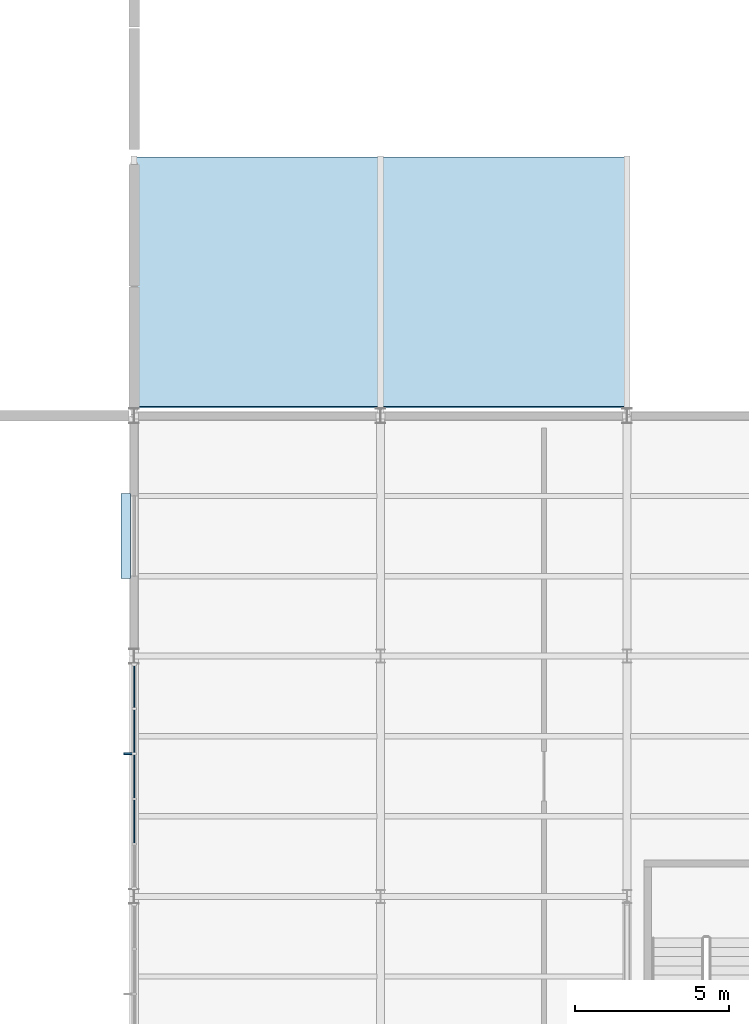
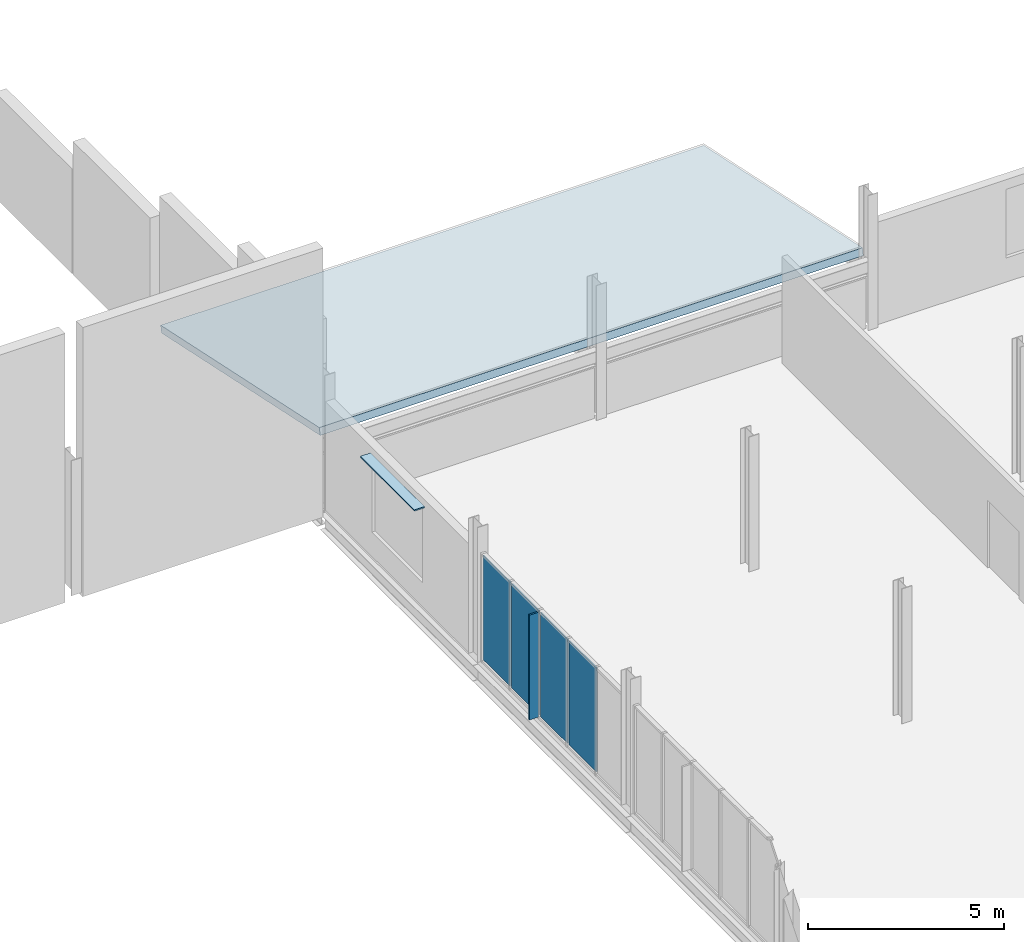
# One storey, part 22 of 45: 6 plates, 1 slab, 1 element without a shape of its own.
"""IFC4 building model written with IfcOpenShell, lengths in metres."""

from ifc_helpers import new_model, si_unit, direction, frame, origin, origin_2d, place, context, subcontext, project, spatial, polyline, rectangle, outline, extrude, material, layer, layer_set, type_object, element, aggregate, save


model = new_model("IFC4")

# Units and contexts
model_context = context("Model", 3, precision=1e-05, world=origin(), true_north=direction((0.0, 1.0)))
body_context = subcontext(model_context, "Body", "Model", "MODEL_VIEW")
ifc_project = project(units=[si_unit("LENGTHUNIT", "METRE"), si_unit("AREAUNIT", "SQUARE_METRE"), si_unit("VOLUMEUNIT", "CUBIC_METRE"), si_unit("PLANEANGLEUNIT", "RADIAN"), si_unit("MASSUNIT", "GRAM", prefix="KILO")], contexts=[model_context])

# Site, building, storey
site_placement = place(None, origin())
site = spatial("IfcSite", under=ifc_project, at=site_placement, CompositionType="ELEMENT")
building_placement = place(site_placement, origin())
building = spatial("IfcBuilding", under=site, at=building_placement, Name="Yukiwa Park Conservatory and Herbarium", CompositionType="ELEMENT")
storey_placement = place(building_placement, frame((0.0, 0.0, 9.0)))
storey = spatial("IfcBuildingStorey", under=building, at=storey_placement, Name="L02", CompositionType="ELEMENT", Elevation=9.0)

# Curtain wall, plates
ifc_material_1 = material(Name="Triple Low-E Insulated Glass", Category="glass")
ifc_layer_1 = layer(ifc_material_1, 0.199951171875)
ifc_layer_set_1 = layer_set([ifc_layer_1], Name="Triple Low-E Insulated Glass")
curtain_wall_type = type_object("IfcCurtainWallType", Name="CW-VISITOR-1600", PredefinedType="NOTDEFINED", material=ifc_layer_set_1)
curtain_wall_placement = place(storey_placement, origin())
curtain_wall = element("IfcCurtainWall", 1, at=curtain_wall_placement, inside=storey, type_object=curtain_wall_type, Name="L02 unitised curtain wall CW-L02-066", PredefinedType="NOTDEFINED")
ifc_material_2 = material(Name="Triple Low-E Insulated Glass", Category="glass")
ifc_layer_2 = layer(ifc_material_2, 0.035888671875)
ifc_layer_set_2 = layer_set([ifc_layer_2], Name="Triple Low-E Insulated Glass")
plate_type_1 = type_object("IfcPlateType", Name="PL-CW-GLZ-36", PredefinedType="CURTAIN_PANEL", material=ifc_layer_set_2)
plate_1_placement = place(storey_placement, frame((60.0, 69.227294921875, 0.070068359375), z_axis=(0.0, 0.0, 1.0), x_axis=(0.0, -1.0, 0.0)))
plate_1 = element("IfcPlate", 2, at=plate_1_placement, type_object=plate_type_1, Name="CW-L02-066 vision panel 1.1", PredefinedType="CURTAIN_PANEL", context=body_context, shape_type="SweptSolid", body=[
    extrude(rectangle(XDim=1.3935546875, YDim=0.035888671875, at=origin_2d()), origin(), (0.0, 0.0, 1.0), 3.24609375),
])
plate_2_placement = place(storey_placement, frame((60.0, 67.763671875, 0.070068359375), z_axis=(0.0, 0.0, 1.0), x_axis=(0.0, -1.0, 0.0)))
plate_2 = element("IfcPlate", 3, at=plate_2_placement, type_object=plate_type_1, Name="CW-L02-066 vision panel 2.1", PredefinedType="CURTAIN_PANEL", context=body_context, shape_type="SweptSolid", body=[
    extrude(rectangle(XDim=1.3935546875, YDim=0.035888671875, at=origin_2d()), origin(), (0.0, 0.0, 1.0), 3.24609375),
])
plate_3_placement = place(storey_placement, frame((60.0, 66.300048828125, 0.070068359375), z_axis=(0.0, 0.0, 1.0), x_axis=(0.0, -1.0, 0.0)))
plate_3 = element("IfcPlate", 4, at=plate_3_placement, type_object=plate_type_1, Name="CW-L02-066 vision panel 3.1", PredefinedType="CURTAIN_PANEL", context=body_context, shape_type="SweptSolid", body=[
    extrude(rectangle(XDim=1.3935546875, YDim=0.035888671875, at=origin_2d()), origin(), (0.0, 0.0, 1.0), 3.24609375),
])
plate_4_placement = place(storey_placement, frame((60.0, 64.83642578125, 0.070068359375), z_axis=(0.0, 0.0, 1.0), x_axis=(0.0, -1.0, 0.0)))
plate_4 = element("IfcPlate", 5, at=plate_4_placement, type_object=plate_type_1, Name="CW-L02-066 vision panel 4.1", PredefinedType="CURTAIN_PANEL", context=body_context, shape_type="SweptSolid", body=[
    extrude(rectangle(XDim=1.3935546875, YDim=0.035888671875, at=origin_2d()), origin(), (0.0, 0.0, 1.0), 3.24609375),
])
aggregate(curtain_wall, [plate_1, plate_2, plate_3, plate_4])

# Plates
ifc_material_3 = material(Name="Anodised Aluminium", Category="aluminium")
ifc_layer_3 = layer(ifc_material_3, 0.050048828125)
ifc_layer_set_3 = layer_set([ifc_layer_3], Name="Anodised Aluminium")
plate_type_2 = type_object("IfcPlateType", Name="PL-FIN-ALU-50", PredefinedType="USERDEFINED", material=ifc_layer_set_3)
plate_5_placement = place(storey_placement, frame((59.81005859375, 67.03173828125, 0.06005859375), z_axis=(0.0, 0.0, 1.0), x_axis=(0.0, -1.0, 0.0)))
element("IfcPlate", 6, at=plate_5_placement, inside=storey, type_object=plate_type_2, Name="CW-L02-066 exterior vertical shading fin", ObjectType="SHADING FIN", PredefinedType="USERDEFINED", context=body_context, shape_type="SweptSolid", body=[
    extrude(rectangle(XDim=0.050048828125, YDim=0.280029296875, at=origin_2d()), origin(), (0.0, 0.0, 1.0), 3.26611328125),
])
ifc_material_4 = material(Name="Anodised Aluminium", Category="aluminium")
ifc_layer_4 = layer(ifc_material_4, 0.0400390625)
ifc_layer_set_4 = layer_set([ifc_layer_4], Name="Anodised Aluminium")
plate_type_3 = type_object("IfcPlateType", Name="PL-SHADE-ALU-40", PredefinedType="SHEET", material=ifc_layer_set_4)
plate_6_placement = place(storey_placement, frame((59.72998046875, 74.10009765625, 3.1298828125), z_axis=(0.0, 0.0, 1.0), x_axis=(0.0, -1.0, 0.0)))
element("IfcPlate", 7, at=plate_6_placement, inside=storey, type_object=plate_type_3, Name="L02 snow-shedding window hood 107", PredefinedType="SHEET", context=body_context, shape_type="SweptSolid", body=[
    extrude(rectangle(XDim=2.760009765625, YDim=0.300048828125, at=origin_2d()), origin(), (0.0, 0.0, 1.0), 0.0400390625),
])

# Slab
ifc_material_5 = material(Name="Concrete C40", Category="concrete")
ifc_layer_5 = layer(ifc_material_5, 0.219970703125)
ifc_layer_set_5 = layer_set([ifc_layer_5], Name="Concrete C40")
slab_type = type_object("IfcSlabType", Name="SL-ROOF-220", PredefinedType="ROOF", material=ifc_layer_set_5)
slab_placement = place(storey_placement, frame((60.0, 78.300048828125, 2.20166015625), z_axis=(0.0, 0.207911999796, 0.978147535058), x_axis=(1.0, 0.0, 0.0)))
element("IfcSlab", 8, at=slab_placement, inside=storey, type_object=slab_type, Name="Auditorium Foyer Link sloped roof slab", PredefinedType="ROOF", context=body_context, shape_type="SweptSolid", body=[
    extrude(outline(polyline([(0.0, 0.0), (16.0, 0.0), (16.0, 8.280809617479003), (0.0, 8.280809617479003), (0.0, 0.0)])), origin(), (0.0, 0.0, -1.0), 0.219970703125),
])

save(model, "model.ifc")
